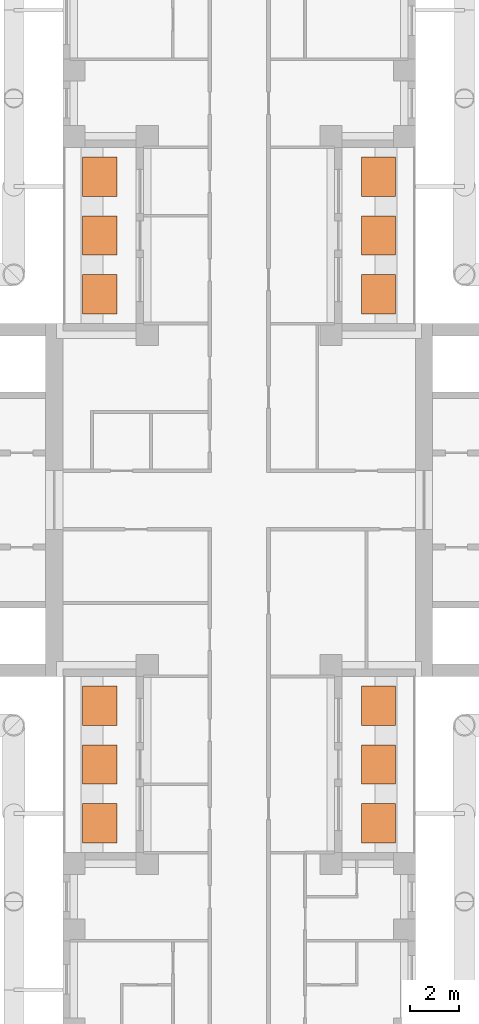
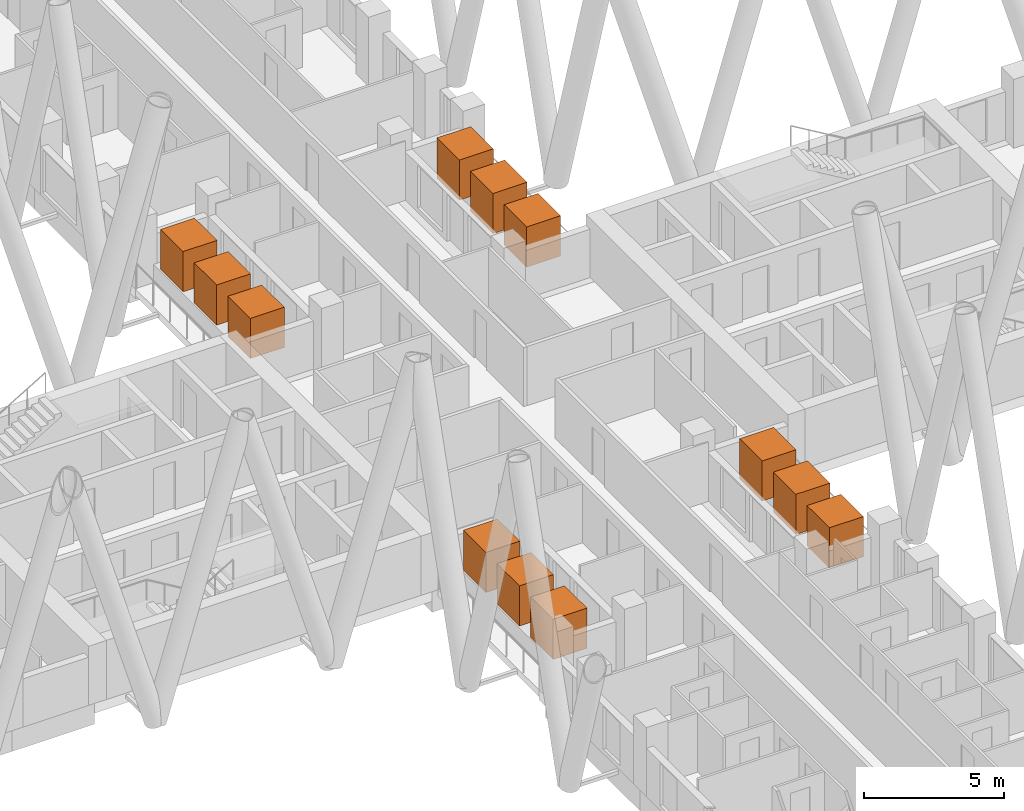
# One storey, part 16 of 16: 12 geographic elements.
"""IFC4 building model written with IfcOpenShell, lengths in metres."""

from ifc_helpers import new_model, si_unit, direction, frame, origin, origin_2d, place, context, subcontext, project, spatial, rectangle, extrude, material, element, save


model = new_model("IFC4")

# Units and contexts
model_context = context("Model", 3, precision=1e-05, world=origin(), true_north=direction((0.0, 1.0)))
body_context = subcontext(model_context, "Body", "Model", "MODEL_VIEW")
ifc_project = project(units=[si_unit("LENGTHUNIT", "METRE"), si_unit("AREAUNIT", "SQUARE_METRE"), si_unit("VOLUMEUNIT", "CUBIC_METRE"), si_unit("PLANEANGLEUNIT", "RADIAN"), si_unit("MASSUNIT", "GRAM", prefix="KILO")], contexts=[model_context])

# Site, building, storey
site_placement = place(None, origin())
site = spatial("IfcSite", under=ifc_project, at=site_placement, CompositionType="ELEMENT")
building_placement = place(site_placement, origin())
building = spatial("IfcBuilding", under=site, at=building_placement, Name="Fustian Cross Tower", CompositionType="ELEMENT")
storey_placement = place(building_placement, frame((0.0, 0.0, 20.699951171875)))
storey = spatial("IfcBuildingStorey", under=building, at=storey_placement, Name="L05", CompositionType="ELEMENT", Elevation=20.699951171875)

# Geographic elements
ifc_material = material(Name="Evergreen foliage")
for number, where, z_axis, x_axis, name in (
    (1, (5.68994140625, 8.39990234375, 0.800048828125), (0.0, 0.0, 1.0), (1.0, 0.0, 0.0), "TREE field maple"),
    (2, (5.68994140625, 10.800048828125, 0.800048828125), (0.0, 0.0, 1.0), (1.0, 0.0, 0.0), "TREE field maple"),
    (3, (5.68994140625, 13.199951171875, 0.800048828125), (0.0, 0.0, 1.0), (1.0, 0.0, 0.0), "TREE field maple"),
    (4, (-5.68994140625, 8.39990234375, 0.800048828125), (0.0, 0.0, 1.0), (1.0, 0.0, 0.0), "TREE field maple"),
    (5, (-5.68994140625, 10.800048828125, 0.800048828125), (0.0, 0.0, 1.0), (1.0, 0.0, 0.0), "TREE field maple"),
    (6, (-5.68994140625, 13.199951171875, 0.800048828125), (0.0, 0.0, 1.0), (1.0, 0.0, 0.0), "TREE field maple"),
    (7, (5.68994140625, -13.199951171875, 0.800048828125), (0.0, 0.0, 1.0), (1.0, 0.0, 0.0), "TREE field maple"),
    (8, (5.68994140625, -10.800048828125, 0.800048828125), (0.0, 0.0, 1.0), (1.0, 0.0, 0.0), "TREE field maple"),
    (9, (5.68994140625, -8.39990234375, 0.800048828125), (0.0, 0.0, 1.0), (1.0, 0.0, 0.0), "TREE field maple"),
    (10, (-5.68994140625, -13.199951171875, 0.800048828125), (0.0, 0.0, 1.0), (1.0, 0.0, 0.0), "TREE field maple"),
    (11, (-5.68994140625, -10.800048828125, 0.800048828125), (0.0, 0.0, 1.0), (1.0, 0.0, 0.0), "TREE field maple"),
    (12, (-5.68994140625, -8.39990234375, 0.800048828125), (0.0, 0.0, 1.0), (1.0, 0.0, 0.0), "TREE field maple"),
):
    element("IfcGeographicElement", number, at=place(storey_placement, frame(where, z_axis=z_axis, x_axis=x_axis)), inside=storey, material=ifc_material, Name=name, ObjectType="VEGETATION", PredefinedType="USERDEFINED", context=body_context, shape_type="SweptSolid", body=[
        extrude(rectangle(XDim=1.39990234375, YDim=1.60009765625, at=origin_2d()), origin(), (0.0, 0.0, 1.0), 1.75),
    ])

save(model, "model.ifc")
